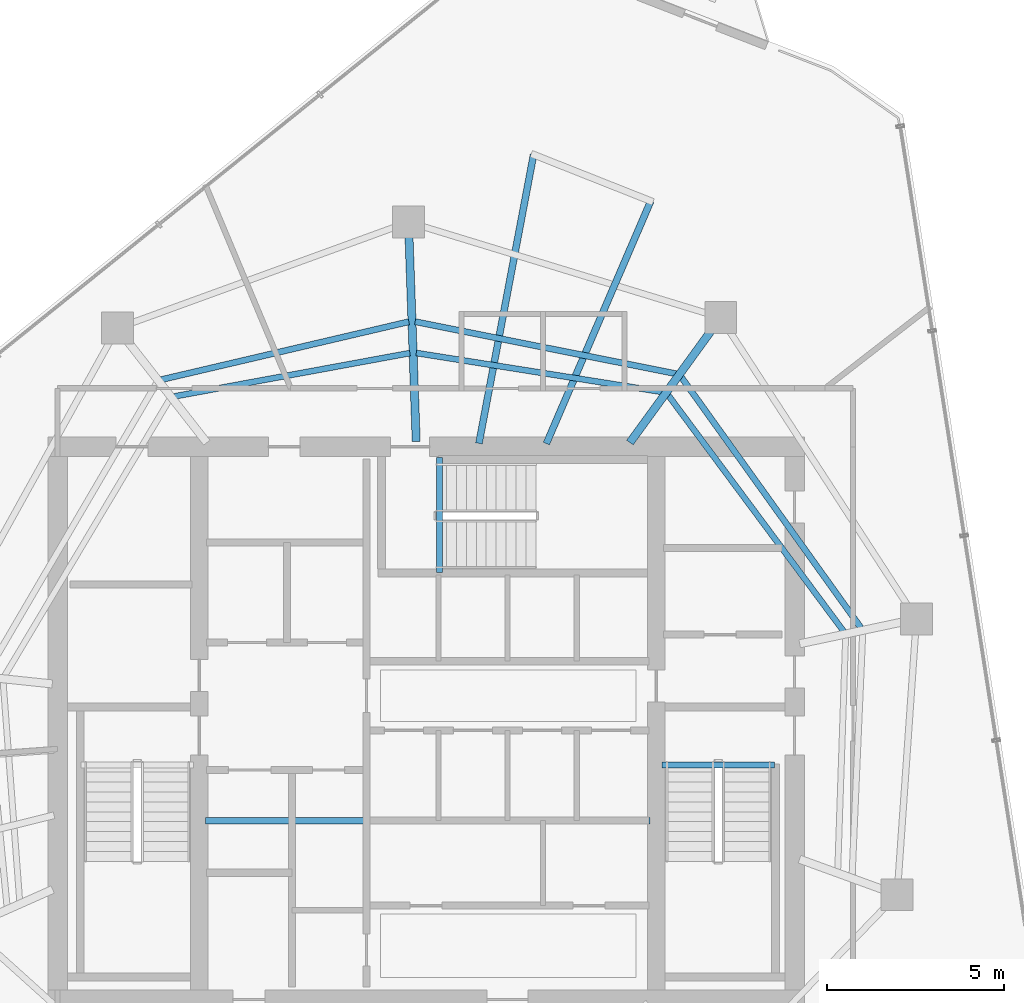
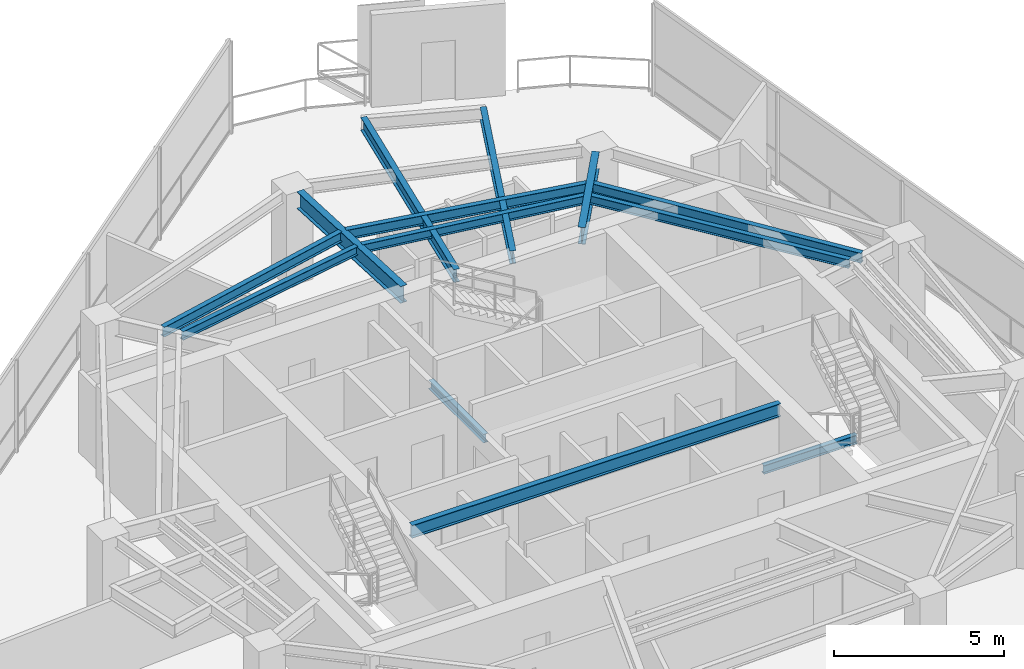
# One storey, part 8 of 19: 13 beams.
"""IFC4 building model written with IfcOpenShell, lengths in metres."""

from ifc_helpers import new_model, si_unit, direction, frame, origin, origin_2d, place, context, subcontext, project, spatial, i_section, extrude, material, material_profile, profile_set, type_object, element, save


model = new_model("IFC4")

# Units and contexts
model_context = context("Model", 3, precision=1e-05, world=origin(), true_north=direction((0.0, 1.0)))
body_context = subcontext(model_context, "Body", "Model", "MODEL_VIEW")
ifc_project = project(units=[si_unit("LENGTHUNIT", "METRE"), si_unit("AREAUNIT", "SQUARE_METRE"), si_unit("VOLUMEUNIT", "CUBIC_METRE"), si_unit("PLANEANGLEUNIT", "RADIAN"), si_unit("MASSUNIT", "GRAM", prefix="KILO")], contexts=[model_context])

# Site, building, storey
site_placement = place(None, origin())
site = spatial("IfcSite", under=ifc_project, at=site_placement, CompositionType="ELEMENT")
building_placement = place(site_placement, origin())
building = spatial("IfcBuilding", under=site, at=building_placement, Name="Qarnah Convention Tower", CompositionType="ELEMENT")
storey_placement = place(building_placement, frame((0.0, 0.0, 213.0)))
storey = spatial("IfcBuildingStorey", under=building, at=storey_placement, Name="L57", CompositionType="ELEMENT", Elevation=213.0)

# Beams
ifc_material = material(Name="Structural steel S355JR", Category="steel")
ifc_material_profile_1 = material_profile(ifc_material, i_section(OverallWidth=0.19189453125, OverallDepth=0.464111328125, WebThickness=0.010986328125, FlangeThickness=0.01806640625, at=origin_2d()), Name="W460X89")
ifc_profile_set_1 = profile_set([ifc_material_profile_1], Name="Structural steel S355JR")
beam_type_1 = type_object("IfcBeamType", Name="BM-CANT-W460A", PredefinedType="BEAM", material=ifc_profile_set_1)
beam_1_placement = place(storey_placement, frame((30.97998046875, 23.64990234375, 3.087890625), z_axis=(1.0, 0.0, 0.0), x_axis=(0.0, 1.0, 0.0)))
element("IfcBeam", 1, at=beam_1_placement, inside=storey, type_object=beam_type_1, Name="L57 beam BM-L57-KC1", PredefinedType="BEAM", context=body_context, shape_type="SweptSolid", body=[
    extrude(i_section(OverallWidth=0.19189453125, OverallDepth=0.464111328125, WebThickness=0.010986328125, FlangeThickness=0.01806640625, at=origin_2d()), origin(), (0.0, 0.0, 1.0), 12.5400390625),
])
beam_2_placement = place(storey_placement, frame((40.596923828125, 34.2919921875, 3.087890625), z_axis=(0.395334358974, 0.91853728537, 0.0), x_axis=(-0.91853728537, 0.395334358974, 0.0)))
element("IfcBeam", 2, at=beam_2_placement, inside=storey, type_object=beam_type_1, Name="L57 beam BM-L57-CNT-01-1", PredefinedType="BEAM", context=body_context, shape_type="SweptSolid", body=[
    extrude(i_section(OverallWidth=0.19189453125, OverallDepth=0.464111328125, WebThickness=0.010986328125, FlangeThickness=0.01806640625, at=origin_2d()), origin(), (0.0, 0.0, 1.0), 7.4521484375),
])
beam_3_placement = place(storey_placement, frame((38.694091796875, 34.298095703125, 3.087890625), z_axis=(0.185927001241, 0.982563560392, 0.0), x_axis=(-0.982563560392, 0.185927001241, 0.0)))
element("IfcBeam", 3, at=beam_3_placement, inside=storey, type_object=beam_type_1, Name="L57 beam BM-L57-CNT-01-2", PredefinedType="BEAM", context=body_context, shape_type="SweptSolid", body=[
    extrude(i_section(OverallWidth=0.19189453125, OverallDepth=0.464111328125, WebThickness=0.010986328125, FlangeThickness=0.01806640625, at=origin_2d()), origin(), (0.0, 0.0, 1.0), 8.29345703125),
])
ifc_material_profile_2 = material_profile(ifc_material, i_section(OverallWidth=0.166015625, OverallDepth=0.31201171875, WebThickness=0.007080078125, FlangeThickness=0.010986328125, at=origin_2d()), Name="W310X45")
ifc_profile_set_2 = profile_set([ifc_material_profile_2], Name="Structural steel S355JR")
beam_type_2 = type_object("IfcBeamType", Name="BM-JST-W310", PredefinedType="JOIST", material=ifc_profile_set_2)
beam_4_placement = place(storey_placement, frame((43.860107421875, 25.217041015625, -0.156005859375), z_axis=(1.0, 0.0, 0.0), x_axis=(0.0, 1.0, 0.0)))
element("IfcBeam", 4, at=beam_4_placement, inside=storey, type_object=beam_type_2, Name="L57 stair landing trimmer beam BM-L57-ST2-TRM", PredefinedType="BEAM", context=body_context, shape_type="SweptSolid", body=[
    extrude(i_section(OverallWidth=0.166015625, OverallDepth=0.31201171875, WebThickness=0.007080078125, FlangeThickness=0.010986328125, at=origin_2d()), origin(), (0.0, 0.0, 1.0), 3.179931640625),
])
beam_5_placement = place(storey_placement, frame((37.5830078125, 30.659912109375, -0.156005859375), z_axis=(0.0, 1.0, 0.0), x_axis=(-1.0, 0.0, 0.0)))
element("IfcBeam", 5, at=beam_5_placement, inside=storey, type_object=beam_type_2, Name="L57 stair landing trimmer beam BM-L57-ST3-TRM", PredefinedType="BEAM", context=body_context, shape_type="SweptSolid", body=[
    extrude(i_section(OverallWidth=0.166015625, OverallDepth=0.31201171875, WebThickness=0.007080078125, FlangeThickness=0.010986328125, at=origin_2d()), origin(), (0.0, 0.0, 1.0), 3.239990234375),
])
beam_6_placement = place(storey_placement, frame((48.990966796875, 28.989990234375, 3.1640625), z_axis=(-0.596497073745, 0.802615250922, 0.0), x_axis=(-0.802615250922, -0.596497073745, 0.0)))
element("IfcBeam", 6, at=beam_6_placement, inside=storey, type_object=beam_type_2, Name="L57 joist BM-L57-IJST-01", PredefinedType="JOIST", context=body_context, shape_type="SweptSolid", body=[
    extrude(i_section(OverallWidth=0.166015625, OverallDepth=0.31201171875, WebThickness=0.007080078125, FlangeThickness=0.010986328125, at=origin_2d()), origin(), (0.0, 0.0, 1.0), 8.310302734375),
])
beam_7_placement = place(storey_placement, frame((43.89111328125, 35.74609375, 3.1640625), z_axis=(-0.987698054277, 0.156373122936, 0.0), x_axis=(-0.156373122936, -0.987698054277, 0.0)))
element("IfcBeam", 7, at=beam_7_placement, inside=storey, type_object=beam_type_2, Name="L57 joist BM-L57-IJST-02", PredefinedType="JOIST", context=body_context, shape_type="SweptSolid", body=[
    extrude(i_section(OverallWidth=0.166015625, OverallDepth=0.31201171875, WebThickness=0.007080078125, FlangeThickness=0.010986328125, at=origin_2d()), origin(), (0.0, 0.0, 1.0), 7.0537109375),
])
beam_8_placement = place(storey_placement, frame((36.74609375, 36.846923828125, 3.1640625), z_axis=(-0.983488206865, -0.180972227031, 0.0), x_axis=(0.180972227031, -0.983488206865, 0.0)))
element("IfcBeam", 8, at=beam_8_placement, inside=storey, type_object=beam_type_2, Name="L57 joist BM-L57-IJST-03", PredefinedType="JOIST", context=body_context, shape_type="SweptSolid", body=[
    extrude(i_section(OverallWidth=0.166015625, OverallDepth=0.31201171875, WebThickness=0.007080078125, FlangeThickness=0.010986328125, at=origin_2d()), origin(), (0.0, 0.0, 1.0), 6.7626953125),
])
ifc_material_profile_3 = material_profile(ifc_material, i_section(OverallWidth=0.172119140625, OverallDepth=0.35595703125, WebThickness=0.007080078125, FlangeThickness=0.011962890625, at=origin_2d()), Name="W360X51")
ifc_profile_set_3 = profile_set([ifc_material_profile_3], Name="Structural steel S355JR")
beam_type_3 = type_object("IfcBeamType", Name="BM-JST-W360", PredefinedType="JOIST", material=ifc_profile_set_3)
beam_9_placement = place(storey_placement, frame((49.47509765625, 29.093017578125, 3.14208984375), z_axis=(-0.582537157954, 0.812804072088, 0.0), x_axis=(-0.812804072088, -0.582537157954, 0.0)))
element("IfcBeam", 9, at=beam_9_placement, inside=storey, type_object=beam_type_3, Name="L57 joist BM-L57-SJST-01", PredefinedType="JOIST", context=body_context, shape_type="SweptSolid", body=[
    extrude(i_section(OverallWidth=0.172119140625, OverallDepth=0.35595703125, WebThickness=0.007080078125, FlangeThickness=0.011962890625, at=origin_2d()), origin(), (0.0, 0.0, 1.0), 8.706787109375),
])
beam_10_placement = place(storey_placement, frame((44.262939453125, 36.260986328125, 3.14208984375), z_axis=(-0.980638100226, 0.195828793556, 0.0), x_axis=(-0.195828793556, -0.980638100226, 0.0)))
element("IfcBeam", 10, at=beam_10_placement, inside=storey, type_object=beam_type_3, Name="L57 joist BM-L57-SJST-02", PredefinedType="JOIST", context=body_context, shape_type="SweptSolid", body=[
    extrude(i_section(OverallWidth=0.172119140625, OverallDepth=0.35595703125, WebThickness=0.007080078125, FlangeThickness=0.011962890625, at=origin_2d()), origin(), (0.0, 0.0, 1.0), 7.516357421875),
])
beam_11_placement = place(storey_placement, frame((36.716064453125, 37.73095703125, 3.14208984375), z_axis=(-0.973703273154, -0.227819963676, 0.0), x_axis=(0.227819963676, -0.973703273154, 0.0)))
element("IfcBeam", 11, at=beam_11_placement, inside=storey, type_object=beam_type_3, Name="L57 joist BM-L57-SJST-03", PredefinedType="JOIST", context=body_context, shape_type="SweptSolid", body=[
    extrude(i_section(OverallWidth=0.172119140625, OverallDepth=0.35595703125, WebThickness=0.007080078125, FlangeThickness=0.011962890625, at=origin_2d()), origin(), (0.0, 0.0, 1.0), 7.1767578125),
])
ifc_material_profile_4 = material_profile(ifc_material, i_section(OverallWidth=0.22802734375, OverallDepth=0.60791015625, WebThickness=0.010986328125, FlangeThickness=0.01708984375, at=origin_2d()), Name="W610X113")
ifc_profile_set_4 = profile_set([ifc_material_profile_4], Name="Structural steel S355JR")
beam_type_4 = type_object("IfcBeamType", Name="BM-RAD-W610B", PredefinedType="BEAM", material=ifc_profile_set_4)
beam_12_placement = place(storey_placement, frame((42.955078125, 34.321044921875, 3.01611328125), z_axis=(0.587650613849, 0.809114797815, 0.0), x_axis=(-0.809114797815, 0.587650613849, 0.0)))
element("IfcBeam", 12, at=beam_12_placement, inside=storey, type_object=beam_type_4, Name="L57 beam BM-L57-RAD-02", PredefinedType="BEAM", context=body_context, shape_type="SweptSolid", body=[
    extrude(i_section(OverallWidth=0.22802734375, OverallDepth=0.60791015625, WebThickness=0.010986328125, FlangeThickness=0.01708984375, at=origin_2d()), origin(), (0.0, 0.0, 1.0), 3.928955078125),
])
beam_13_placement = place(storey_placement, frame((36.923095703125, 34.35009765625, 3.01611328125), z_axis=(-0.035067624348, 0.999384941713, 0.0), x_axis=(-0.999384941713, -0.035067624348, 0.0)))
element("IfcBeam", 13, at=beam_13_placement, inside=storey, type_object=beam_type_4, Name="L57 beam BM-L57-RAD-03", PredefinedType="BEAM", context=body_context, shape_type="SweptSolid", body=[
    extrude(i_section(OverallWidth=0.22802734375, OverallDepth=0.60791015625, WebThickness=0.010986328125, FlangeThickness=0.01708984375, at=origin_2d()), origin(), (0.0, 0.0, 1.0), 5.7646484375),
])

save(model, "model.ifc")
